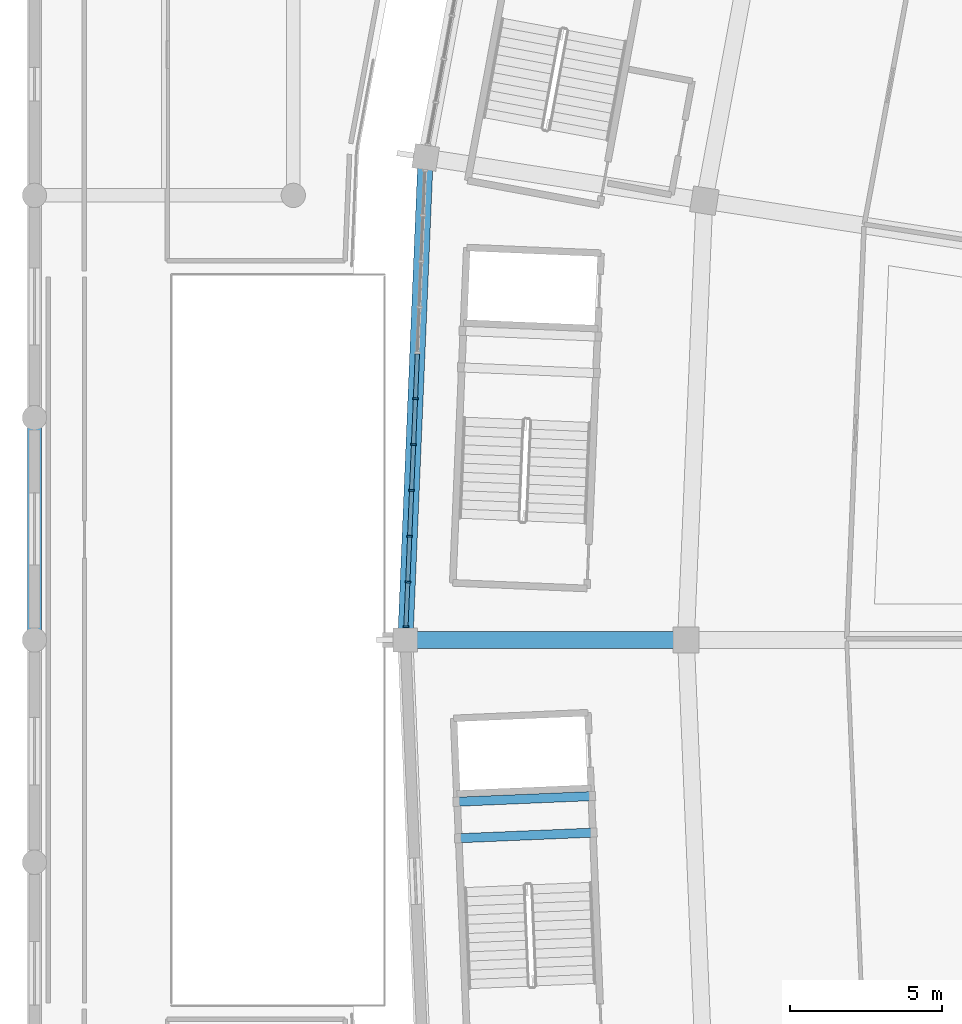
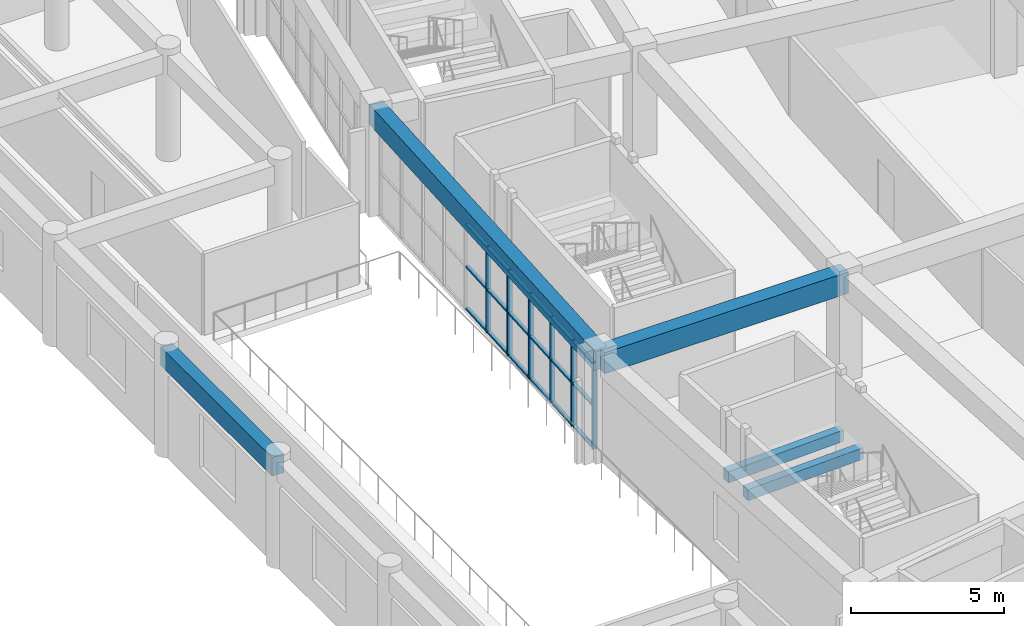
# One storey, part 27 of 145: 24 members, 5 beams, 1 element without a shape of its own.
"""IFC4 building model written with IfcOpenShell, lengths in metres."""

from ifc_helpers import new_model, si_unit, direction, frame, origin, origin_2d, place, context, subcontext, project, spatial, rectangle, extrude, material, layer, layer_set, material_profile, profile_set, type_object, element, aggregate, save


model = new_model("IFC4")

# Units and contexts
model_context = context("Model", 3, precision=1e-05, world=origin(), true_north=direction((0.0, 1.0)))
body_context = subcontext(model_context, "Body", "Model", "MODEL_VIEW")
ifc_project = project(units=[si_unit("LENGTHUNIT", "METRE"), si_unit("AREAUNIT", "SQUARE_METRE"), si_unit("VOLUMEUNIT", "CUBIC_METRE"), si_unit("PLANEANGLEUNIT", "RADIAN"), si_unit("MASSUNIT", "GRAM", prefix="KILO")], contexts=[model_context])

# Site, building, storey
site_placement = place(None, origin())
site = spatial("IfcSite", under=ifc_project, at=site_placement, CompositionType="ELEMENT")
building_placement = place(site_placement, origin())
building = spatial("IfcBuilding", under=site, at=building_placement, Name="Mphavela Belvedere Stadium", CompositionType="ELEMENT")
storey_placement = place(building_placement, frame((0.0, 0.0, 10.199951171875)))
storey = spatial("IfcBuildingStorey", under=building, at=storey_placement, Name="L02", CompositionType="ELEMENT", Elevation=10.199951171875)

# Beams
ifc_material_1 = material(Name="Concrete C40/50", Category="concrete")
ifc_material_profile_1 = material_profile(ifc_material_1, rectangle(XDim=0.300048828125, YDim=0.449951171875, at=origin_2d()), Name="RC 300x450")
ifc_profile_set_1 = profile_set([ifc_material_profile_1], Name="Concrete C40/50")
beam_type_1 = type_object("IfcBeamType", Name="BM-RC300x450", PredefinedType="BEAM", material=ifc_profile_set_1)
for number, where, z_axis, x_axis, name in (
    (1, (18.367919921875, 80.674560546875, 1.824951171875), (-0.999122153252, -0.04189179968, 0.0), (0.04189179968, -0.999122153252, 0.0), "Core C08 landing trimmer beam L02-1"),
    (2, (18.317626953125, 81.87353515625, 1.824951171875), (-0.999122153252, -0.04189179968, 0.0), (0.04189179968, -0.999122153252, 0.0), "Core C08 landing trimmer beam L02-2"),
):
    element("IfcBeam", number, at=place(storey_placement, frame(where, z_axis=z_axis, x_axis=x_axis)), inside=storey, type_object=beam_type_1, Name=name, PredefinedType="BEAM", context=body_context, shape_type="SweptSolid", body=[
        extrude(rectangle(XDim=0.300048828125, YDim=0.449951171875, at=origin_2d()), origin(), (0.0, 0.0, 1.0), 4.469970703125),
    ])
ifc_material_2 = material(Name="Concrete C40/50", Category="concrete")
ifc_material_profile_2 = material_profile(ifc_material_2, rectangle(XDim=0.449951171875, YDim=0.75, at=origin_2d()), Name="RC 450x750")
ifc_profile_set_2 = profile_set([ifc_material_profile_2], Name="Concrete C40/50")
beam_type_2 = type_object("IfcBeamType", Name="BM-RC450x750", PredefinedType="BEAM", material=ifc_profile_set_2)
beam_1_placement = place(storey_placement, frame((0.0, 87.0, 3.864990234375), z_axis=(0.0, 1.0, 0.0), x_axis=(-1.0, 0.0, 0.0)))
element("IfcBeam", 3, at=beam_1_placement, inside=storey, type_object=beam_type_2, Name="West Planted Eaves Peristyle Colonnade entablature beam Y L02 1-6", PredefinedType="BEAM", context=body_context, shape_type="SweptSolid", body=[
    extrude(rectangle(XDim=0.449951171875, YDim=0.75, at=origin_2d()), origin(), (0.0, 0.0, 1.0), 7.300048828125),
])
ifc_material_3 = material(Name="Concrete C40/50", Category="concrete")
ifc_material_profile_3 = material_profile(ifc_material_3, rectangle(XDim=0.550048828125, YDim=0.85009765625, at=origin_2d()), Name="RC 550x850")
ifc_profile_set_3 = profile_set([ifc_material_profile_3], Name="Concrete C40/50")
beam_type_3 = type_object("IfcBeamType", Name="BM-RC550x850", PredefinedType="BEAM", material=ifc_profile_set_3)
beam_2_placement = place(storey_placement, frame((21.39501953125, 87.0, 3.824951171875), z_axis=(-1.0, 0.0, 0.0), x_axis=(0.0, -1.0, 0.0)))
element("IfcBeam", 4, at=beam_2_placement, inside=storey, type_object=beam_type_3, Name="Radial concourse girder L02 R3R4-25", PredefinedType="BEAM", context=body_context, shape_type="SweptSolid", body=[
    extrude(rectangle(XDim=0.550048828125, YDim=0.85009765625, at=origin_2d()), origin(), (0.0, 0.0, 1.0), 9.215087890625),
])
ifc_material_4 = material(Name="Concrete C40/50", Category="concrete")
ifc_material_profile_4 = material_profile(ifc_material_4, rectangle(XDim=0.5, YDim=0.800048828125, at=origin_2d()), Name="RC 500x800")
ifc_profile_set_4 = profile_set([ifc_material_profile_4], Name="Concrete C40/50")
beam_type_4 = type_object("IfcBeamType", Name="BM-SPANDREL-800", PredefinedType="SPANDREL", material=ifc_profile_set_4)
beam_3_placement = place(storey_placement, frame((12.844482421875, 102.844970703125, 3.85009765625), z_axis=(-0.041903963155, -0.999121643181, 0.0), x_axis=(0.999121643181, -0.041903963155, 0.0)))
element("IfcBeam", 5, at=beam_3_placement, inside=storey, type_object=beam_type_4, Name="Circumferential girder L02 R4-24", PredefinedType="SPANDREL", context=body_context, shape_type="SweptSolid", body=[
    extrude(rectangle(XDim=0.5, YDim=0.800048828125, at=origin_2d()), origin(), (0.0, 0.0, 1.0), 15.85888671875),
])

# Curtain wall, members
ifc_material_5 = material(Name="Anodised bronze unitised curtain wall framing")
ifc_layer = layer(ifc_material_5, 0.18994140625)
ifc_layer_set = layer_set([ifc_layer], Name="Anodised bronze unitised curtain wall framing")
curtain_wall_type = type_object("IfcCurtainWallType", Name="CW-UNIT-03", PredefinedType="USERDEFINED", material=ifc_layer_set)
curtain_wall_placement = place(storey_placement, origin())
curtain_wall = element("IfcCurtainWall", 6, at=curtain_wall_placement, inside=storey, type_object=curtain_wall_type, Name="Belvedere colonnade curtain wall L02-24", ObjectType="UNITISED CURTAIN WALL", PredefinedType="USERDEFINED")
ifc_material_6 = material(Name="Anodised bronze extruded aluminium", Category="aluminium")
ifc_material_profile_5 = material_profile(ifc_material_6, rectangle(XDim=0.179931640625, YDim=0.06494140625, at=origin_2d()), Name="CW-MUL 180x65")
ifc_profile_set_5 = profile_set([ifc_material_profile_5], Name="Anodised bronze extruded aluminium")
member_type_1 = type_object("IfcMemberType", Name="CWM-180x65", PredefinedType="MULLION", material=ifc_profile_set_5)
member_1_placement = place(storey_placement, frame((12.51220703125, 94.922607421875, 0.0), z_axis=(0.0, 0.0, 1.0), x_axis=(0.999121621767, -0.04190447371, 0.0)))
member_1 = element("IfcMember", 7, at=member_1_placement, type_object=member_type_1, Name="CW-03 mullion 6", PredefinedType="MULLION", context=body_context, shape_type="SweptSolid", body=[
    extrude(rectangle(XDim=0.179931640625, YDim=0.06494140625, at=origin_2d()), origin(), (0.0, 0.0, 1.0), 3.420166015625),
])
member_2_placement = place(storey_placement, frame((12.44921875, 93.41748046875, 0.0), z_axis=(0.0, 0.0, 1.0), x_axis=(0.999121621767, -0.04190447371, 0.0)))
member_2 = element("IfcMember", 8, at=member_2_placement, type_object=member_type_1, Name="CW-03 mullion 7", PredefinedType="MULLION", context=body_context, shape_type="SweptSolid", body=[
    extrude(rectangle(XDim=0.179931640625, YDim=0.06494140625, at=origin_2d()), origin(), (0.0, 0.0, 1.0), 3.420166015625),
])
member_3_placement = place(storey_placement, frame((12.385986328125, 91.91259765625, 0.0), z_axis=(0.0, 0.0, 1.0), x_axis=(0.999121621767, -0.04190447371, 0.0)))
member_3 = element("IfcMember", 9, at=member_3_placement, type_object=member_type_1, Name="CW-03 mullion 8", PredefinedType="MULLION", context=body_context, shape_type="SweptSolid", body=[
    extrude(rectangle(XDim=0.179931640625, YDim=0.06494140625, at=origin_2d()), origin(), (0.0, 0.0, 1.0), 3.420166015625),
])
member_4_placement = place(storey_placement, frame((12.322998046875, 90.40771484375, 0.0), z_axis=(0.0, 0.0, 1.0), x_axis=(0.999121621767, -0.04190447371, 0.0)))
member_4 = element("IfcMember", 10, at=member_4_placement, type_object=member_type_1, Name="CW-03 mullion 9", PredefinedType="MULLION", context=body_context, shape_type="SweptSolid", body=[
    extrude(rectangle(XDim=0.179931640625, YDim=0.06494140625, at=origin_2d()), origin(), (0.0, 0.0, 1.0), 3.420166015625),
])
member_5_placement = place(storey_placement, frame((12.259765625, 88.902587890625, 0.0), z_axis=(0.0, 0.0, 1.0), x_axis=(0.999121621767, -0.04190447371, 0.0)))
member_5 = element("IfcMember", 11, at=member_5_placement, type_object=member_type_1, Name="CW-03 mullion 10", PredefinedType="MULLION", context=body_context, shape_type="SweptSolid", body=[
    extrude(rectangle(XDim=0.179931640625, YDim=0.06494140625, at=origin_2d()), origin(), (0.0, 0.0, 1.0), 3.420166015625),
])
member_6_placement = place(storey_placement, frame((12.197998046875, 87.43017578125, 0.0), z_axis=(0.0, 0.0, 1.0), x_axis=(0.999121621767, -0.04190447371, 0.0)))
member_6 = element("IfcMember", 12, at=member_6_placement, type_object=member_type_1, Name="CW-03 mullion 11", PredefinedType="MULLION", context=body_context, shape_type="SweptSolid", body=[
    extrude(rectangle(XDim=0.179931640625, YDim=0.06494140625, at=origin_2d()), origin(), (0.0, 0.0, 1.0), 3.420166015625),
])
ifc_material_7 = material(Name="Anodised bronze extruded aluminium", Category="aluminium")
ifc_material_profile_6 = material_profile(ifc_material_7, rectangle(XDim=0.139892578125, YDim=0.06005859375, at=origin_2d()), Name="CW-TRN 140x60")
ifc_profile_set_6 = profile_set([ifc_material_profile_6], Name="Anodised bronze extruded aluminium")
member_type_2 = type_object("IfcMemberType", Name="CWT-140x60", PredefinedType="USERDEFINED", material=ifc_profile_set_6)
member_7_placement = place(storey_placement, frame((12.573974609375, 96.39501953125, 0.030029296875), z_axis=(-0.04184192744, -0.999124243079, 0.0), x_axis=(0.999124243079, -0.04184192744, 0.0)))
member_7 = element("IfcMember", 13, at=member_7_placement, type_object=member_type_2, Name="CW-03 transom 5.1", ObjectType="TRANSOM", PredefinedType="USERDEFINED", context=body_context, shape_type="SweptSolid", body=[
    extrude(rectangle(XDim=0.139892578125, YDim=0.06005859375, at=origin_2d()), origin(), (0.0, 0.0, 1.0), 1.441162109375),
])
member_8_placement = place(storey_placement, frame((12.573974609375, 96.39501953125, 1.7099609375), z_axis=(-0.04184192744, -0.999124243079, 0.0), x_axis=(0.999124243079, -0.04184192744, 0.0)))
member_8 = element("IfcMember", 14, at=member_8_placement, type_object=member_type_2, Name="CW-03 transom 5.2", ObjectType="TRANSOM", PredefinedType="USERDEFINED", context=body_context, shape_type="SweptSolid", body=[
    extrude(rectangle(XDim=0.139892578125, YDim=0.06005859375, at=origin_2d()), origin(), (0.0, 0.0, 1.0), 1.441162109375),
])
member_9_placement = place(storey_placement, frame((12.573974609375, 96.39501953125, 3.39013671875), z_axis=(-0.04184192744, -0.999124243079, 0.0), x_axis=(0.999124243079, -0.04184192744, 0.0)))
member_9 = element("IfcMember", 15, at=member_9_placement, type_object=member_type_2, Name="CW-03 transom 5.3", ObjectType="TRANSOM", PredefinedType="USERDEFINED", context=body_context, shape_type="SweptSolid", body=[
    extrude(rectangle(XDim=0.139892578125, YDim=0.06005859375, at=origin_2d()), origin(), (0.0, 0.0, 1.0), 1.441162109375),
])
member_10_placement = place(storey_placement, frame((12.510986328125, 94.89013671875, 0.030029296875), z_axis=(-0.042003920424, -0.999117445884, 0.0), x_axis=(0.999117445884, -0.042003920424, 0.0)))
member_10 = element("IfcMember", 16, at=member_10_placement, type_object=member_type_2, Name="CW-03 transom 6.1", ObjectType="TRANSOM", PredefinedType="USERDEFINED", context=body_context, shape_type="SweptSolid", body=[
    extrude(rectangle(XDim=0.139892578125, YDim=0.06005859375, at=origin_2d()), origin(), (0.0, 0.0, 1.0), 1.44140625),
])
member_11_placement = place(storey_placement, frame((12.510986328125, 94.89013671875, 1.7099609375), z_axis=(-0.042003920424, -0.999117445884, 0.0), x_axis=(0.999117445884, -0.042003920424, 0.0)))
member_11 = element("IfcMember", 17, at=member_11_placement, type_object=member_type_2, Name="CW-03 transom 6.2", ObjectType="TRANSOM", PredefinedType="USERDEFINED", context=body_context, shape_type="SweptSolid", body=[
    extrude(rectangle(XDim=0.139892578125, YDim=0.06005859375, at=origin_2d()), origin(), (0.0, 0.0, 1.0), 1.44140625),
])
member_12_placement = place(storey_placement, frame((12.510986328125, 94.89013671875, 3.39013671875), z_axis=(-0.042003920424, -0.999117445884, 0.0), x_axis=(0.999117445884, -0.042003920424, 0.0)))
member_12 = element("IfcMember", 18, at=member_12_placement, type_object=member_type_2, Name="CW-03 transom 6.3", ObjectType="TRANSOM", PredefinedType="USERDEFINED", context=body_context, shape_type="SweptSolid", body=[
    extrude(rectangle(XDim=0.139892578125, YDim=0.06005859375, at=origin_2d()), origin(), (0.0, 0.0, 1.0), 1.44140625),
])
member_13_placement = place(storey_placement, frame((12.44775390625, 93.385009765625, 0.030029296875), z_axis=(-0.04184192744, -0.999124243079, 0.0), x_axis=(0.999124243079, -0.04184192744, 0.0)))
member_13 = element("IfcMember", 19, at=member_13_placement, type_object=member_type_2, Name="CW-03 transom 7.1", ObjectType="TRANSOM", PredefinedType="USERDEFINED", context=body_context, shape_type="SweptSolid", body=[
    extrude(rectangle(XDim=0.139892578125, YDim=0.06005859375, at=origin_2d()), origin(), (0.0, 0.0, 1.0), 1.441162109375),
])
member_14_placement = place(storey_placement, frame((12.44775390625, 93.385009765625, 1.7099609375), z_axis=(-0.04184192744, -0.999124243079, 0.0), x_axis=(0.999124243079, -0.04184192744, 0.0)))
member_14 = element("IfcMember", 20, at=member_14_placement, type_object=member_type_2, Name="CW-03 transom 7.2", ObjectType="TRANSOM", PredefinedType="USERDEFINED", context=body_context, shape_type="SweptSolid", body=[
    extrude(rectangle(XDim=0.139892578125, YDim=0.06005859375, at=origin_2d()), origin(), (0.0, 0.0, 1.0), 1.441162109375),
])
member_15_placement = place(storey_placement, frame((12.44775390625, 93.385009765625, 3.39013671875), z_axis=(-0.04184192744, -0.999124243079, 0.0), x_axis=(0.999124243079, -0.04184192744, 0.0)))
member_15 = element("IfcMember", 21, at=member_15_placement, type_object=member_type_2, Name="CW-03 transom 7.3", ObjectType="TRANSOM", PredefinedType="USERDEFINED", context=body_context, shape_type="SweptSolid", body=[
    extrude(rectangle(XDim=0.139892578125, YDim=0.06005859375, at=origin_2d()), origin(), (0.0, 0.0, 1.0), 1.441162109375),
])
member_16_placement = place(storey_placement, frame((12.384765625, 91.880126953125, 0.030029296875), z_axis=(-0.042011029578, -0.999117146982, 0.0), x_axis=(0.999117146982, -0.042011029578, 0.0)))
member_16 = element("IfcMember", 22, at=member_16_placement, type_object=member_type_2, Name="CW-03 transom 8.1", ObjectType="TRANSOM", PredefinedType="USERDEFINED", context=body_context, shape_type="SweptSolid", body=[
    extrude(rectangle(XDim=0.139892578125, YDim=0.06005859375, at=origin_2d()), origin(), (0.0, 0.0, 1.0), 1.441162109375),
])
member_17_placement = place(storey_placement, frame((12.384765625, 91.880126953125, 1.7099609375), z_axis=(-0.042011029578, -0.999117146982, 0.0), x_axis=(0.999117146982, -0.042011029578, 0.0)))
member_17 = element("IfcMember", 23, at=member_17_placement, type_object=member_type_2, Name="CW-03 transom 8.2", ObjectType="TRANSOM", PredefinedType="USERDEFINED", context=body_context, shape_type="SweptSolid", body=[
    extrude(rectangle(XDim=0.139892578125, YDim=0.06005859375, at=origin_2d()), origin(), (0.0, 0.0, 1.0), 1.441162109375),
])
member_18_placement = place(storey_placement, frame((12.384765625, 91.880126953125, 3.39013671875), z_axis=(-0.042011029578, -0.999117146982, 0.0), x_axis=(0.999117146982, -0.042011029578, 0.0)))
member_18 = element("IfcMember", 24, at=member_18_placement, type_object=member_type_2, Name="CW-03 transom 8.3", ObjectType="TRANSOM", PredefinedType="USERDEFINED", context=body_context, shape_type="SweptSolid", body=[
    extrude(rectangle(XDim=0.139892578125, YDim=0.06005859375, at=origin_2d()), origin(), (0.0, 0.0, 1.0), 1.441162109375),
])
member_19_placement = place(storey_placement, frame((12.321533203125, 90.375244140625, 0.030029296875), z_axis=(-0.041834846801, -0.999124539581, 0.0), x_axis=(0.999124539581, -0.041834846801, 0.0)))
member_19 = element("IfcMember", 25, at=member_19_placement, type_object=member_type_2, Name="CW-03 transom 9.1", ObjectType="TRANSOM", PredefinedType="USERDEFINED", context=body_context, shape_type="SweptSolid", body=[
    extrude(rectangle(XDim=0.139892578125, YDim=0.06005859375, at=origin_2d()), origin(), (0.0, 0.0, 1.0), 1.44140625),
])
member_20_placement = place(storey_placement, frame((12.321533203125, 90.375244140625, 1.7099609375), z_axis=(-0.041834846801, -0.999124539581, 0.0), x_axis=(0.999124539581, -0.041834846801, 0.0)))
member_20 = element("IfcMember", 26, at=member_20_placement, type_object=member_type_2, Name="CW-03 transom 9.2", ObjectType="TRANSOM", PredefinedType="USERDEFINED", context=body_context, shape_type="SweptSolid", body=[
    extrude(rectangle(XDim=0.139892578125, YDim=0.06005859375, at=origin_2d()), origin(), (0.0, 0.0, 1.0), 1.44140625),
])
member_21_placement = place(storey_placement, frame((12.321533203125, 90.375244140625, 3.39013671875), z_axis=(-0.041834846801, -0.999124539581, 0.0), x_axis=(0.999124539581, -0.041834846801, 0.0)))
member_21 = element("IfcMember", 27, at=member_21_placement, type_object=member_type_2, Name="CW-03 transom 9.3", ObjectType="TRANSOM", PredefinedType="USERDEFINED", context=body_context, shape_type="SweptSolid", body=[
    extrude(rectangle(XDim=0.139892578125, YDim=0.06005859375, at=origin_2d()), origin(), (0.0, 0.0, 1.0), 1.44140625),
])
member_22_placement = place(storey_placement, frame((12.258544921875, 88.8701171875, 0.030029296875), z_axis=(-0.041940514571, -0.999120109515, 0.0), x_axis=(0.999120109515, -0.041940514571, 0.0)))
member_22 = element("IfcMember", 28, at=member_22_placement, type_object=member_type_2, Name="CW-03 transom 10.1", ObjectType="TRANSOM", PredefinedType="USERDEFINED", context=body_context, shape_type="SweptSolid", body=[
    extrude(rectangle(XDim=0.139892578125, YDim=0.06005859375, at=origin_2d()), origin(), (0.0, 0.0, 1.0), 1.40869140625),
])
member_23_placement = place(storey_placement, frame((12.258544921875, 88.8701171875, 1.7099609375), z_axis=(-0.041940514571, -0.999120109515, 0.0), x_axis=(0.999120109515, -0.041940514571, 0.0)))
member_23 = element("IfcMember", 29, at=member_23_placement, type_object=member_type_2, Name="CW-03 transom 10.2", ObjectType="TRANSOM", PredefinedType="USERDEFINED", context=body_context, shape_type="SweptSolid", body=[
    extrude(rectangle(XDim=0.139892578125, YDim=0.06005859375, at=origin_2d()), origin(), (0.0, 0.0, 1.0), 1.40869140625),
])
member_24_placement = place(storey_placement, frame((12.258544921875, 88.8701171875, 3.39013671875), z_axis=(-0.041940514571, -0.999120109515, 0.0), x_axis=(0.999120109515, -0.041940514571, 0.0)))
member_24 = element("IfcMember", 30, at=member_24_placement, type_object=member_type_2, Name="CW-03 transom 10.3", ObjectType="TRANSOM", PredefinedType="USERDEFINED", context=body_context, shape_type="SweptSolid", body=[
    extrude(rectangle(XDim=0.139892578125, YDim=0.06005859375, at=origin_2d()), origin(), (0.0, 0.0, 1.0), 1.40869140625),
])
aggregate(curtain_wall, [member_1, member_2, member_3, member_4, member_5, member_6, member_7, member_8, member_9, member_10, member_11, member_12, member_13, member_14, member_15, member_16, member_17, member_18, member_19, member_20, member_21, member_22, member_23, member_24])

save(model, "model.ifc")
